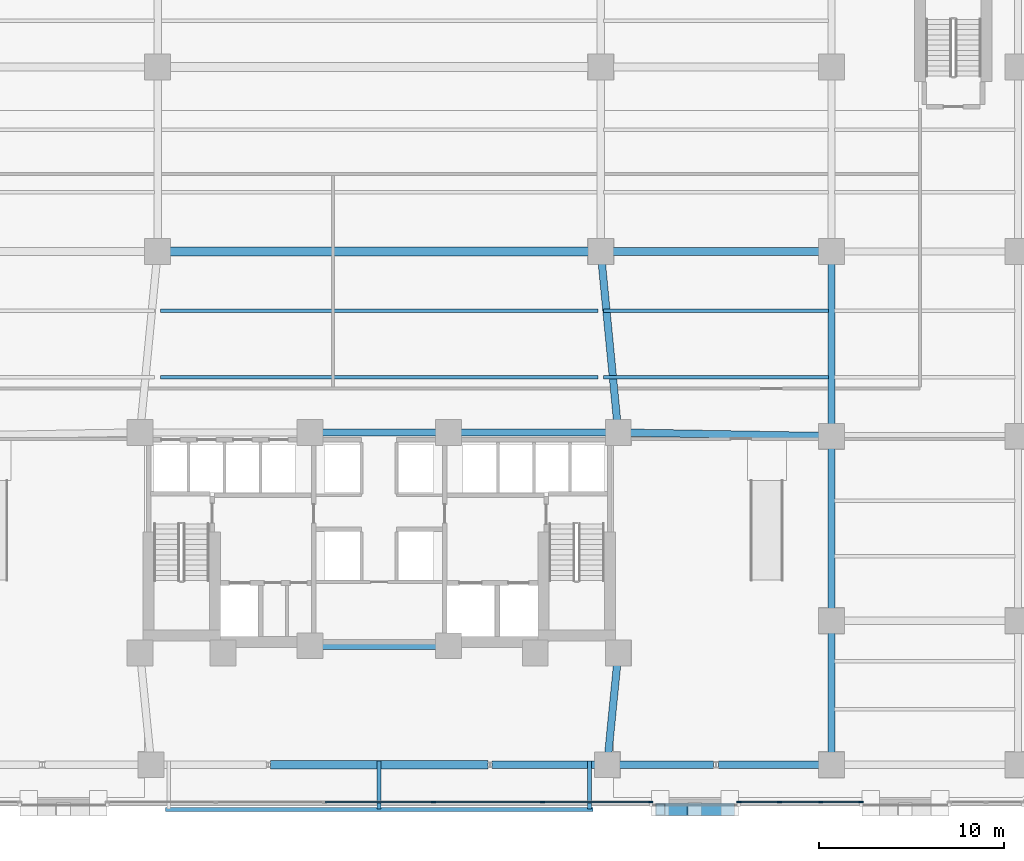
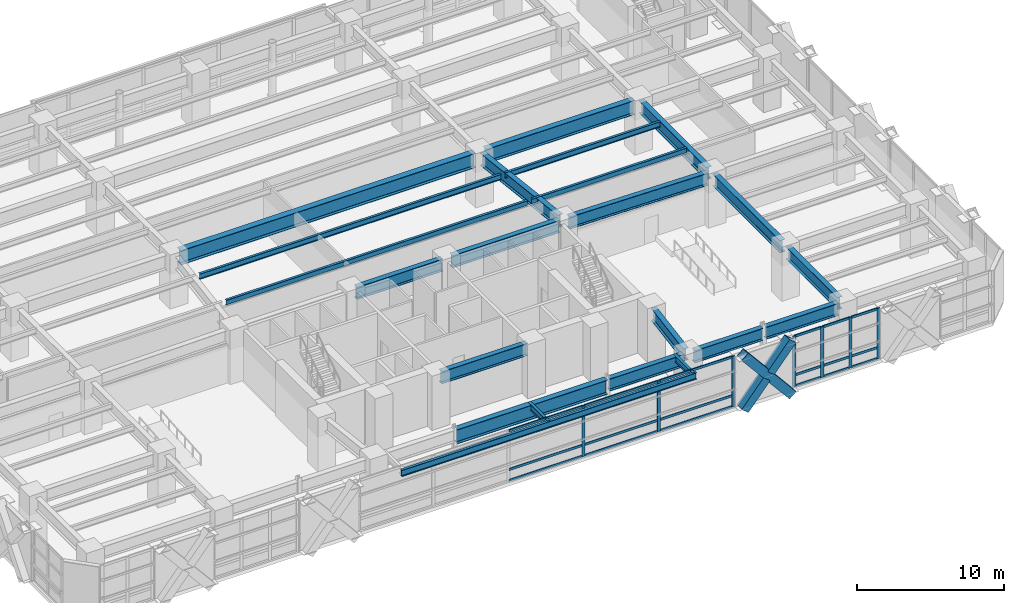
# One storey, part 8 of 30: 28 members, 22 beams, 2 elements without a shape of their own.
"""IFC4 building model written with IfcOpenShell, lengths in metres."""

from ifc_helpers import new_model, si_unit, direction, frame, origin, origin_2d, place, context, subcontext, project, spatial, rectangle, hollow_rectangle, i_section, extrude, material, material_profile, profile_set, type_object, element, aggregate, save


model = new_model("IFC4")

# Units and contexts
model_context = context("Model", 3, precision=1e-05, world=origin(), true_north=direction((0.0, 1.0)))
body_context = subcontext(model_context, "Body", "Model", "MODEL_VIEW")
ifc_project = project(units=[si_unit("LENGTHUNIT", "METRE"), si_unit("AREAUNIT", "SQUARE_METRE"), si_unit("VOLUMEUNIT", "CUBIC_METRE"), si_unit("PLANEANGLEUNIT", "RADIAN"), si_unit("MASSUNIT", "GRAM", prefix="KILO")], contexts=[model_context])

# Site, building, storey
site_placement = place(None, origin())
site = spatial("IfcSite", under=ifc_project, at=site_placement, CompositionType="ELEMENT")
building_placement = place(site_placement, origin())
building = spatial("IfcBuilding", under=site, at=building_placement, Name="Quenlor Broadcast Tower", CompositionType="ELEMENT")
storey_placement = place(building_placement, frame((0.0, 0.0, 9.5)))
storey = spatial("IfcBuildingStorey", under=building, at=storey_placement, Name="L02", CompositionType="ELEMENT", Elevation=9.5)

# Curtain wall, members
ifc_material_1 = material(Name="Architectural Terracotta and Low-E Glazing", Category="masonry")
curtain_wall_type = type_object("IfcCurtainWallType", Name="Station Concourse and Crown Terracotta Curtain Wall", PredefinedType="NOTDEFINED", material=ifc_material_1)
curtain_wall_1_placement = place(storey_placement, origin())
curtain_wall_1 = element("IfcCurtainWall", 1, at=curtain_wall_1_placement, inside=storey, type_object=curtain_wall_type, Name="L02 Curtain Wall CW6 (L02-S-FULL-G2)", PredefinedType="NOTDEFINED")
ifc_material_2 = material(Name="Aluminium 6063-T6", Category="aluminium")
ifc_material_profile_1 = material_profile(ifc_material_2, rectangle(XDim=0.08203125, YDim=0.239990234375, at=origin_2d()))
ifc_profile_set_1 = profile_set([ifc_material_profile_1], Name="Aluminium 6063-T6 MULL82x240")
member_type_1 = type_object("IfcMemberType", Name="CW6 Aluminium Mullion MULL_CW6", PredefinedType="MULLION", material=ifc_profile_set_1)
member_1_placement = place(storey_placement, frame((26.109619140625, -24.820068359375, 0.0), z_axis=(0.0, 0.0, 1.0), x_axis=(0.0, -1.0, 0.0)))
member_1 = element("IfcMember", 2, at=member_1_placement, type_object=member_type_1, Name="CW6 mullion 1", PredefinedType="MULLION", context=body_context, shape_type="SweptSolid", body=[
    extrude(rectangle(XDim=0.08203125, YDim=0.239990234375, at=origin_2d()), origin(), (0.0, 0.0, 1.0), 4.199951171875),
])
member_2_placement = place(storey_placement, frame((23.916748046875, -24.820068359375, 0.0), z_axis=(0.0, 0.0, 1.0), x_axis=(0.0, -1.0, 0.0)))
member_2 = element("IfcMember", 3, at=member_2_placement, type_object=member_type_1, Name="CW6 mullion 2", PredefinedType="MULLION", context=body_context, shape_type="SweptSolid", body=[
    extrude(rectangle(XDim=0.08203125, YDim=0.239990234375, at=origin_2d()), origin(), (0.0, 0.0, 1.0), 4.199951171875),
])
member_3_placement = place(storey_placement, frame((21.68310546875, -24.820068359375, 0.0), z_axis=(0.0, 0.0, 1.0), x_axis=(0.0, -1.0, 0.0)))
member_3 = element("IfcMember", 4, at=member_3_placement, type_object=member_type_1, Name="CW6 mullion 3", PredefinedType="MULLION", context=body_context, shape_type="SweptSolid", body=[
    extrude(rectangle(XDim=0.08203125, YDim=0.239990234375, at=origin_2d()), origin(), (0.0, 0.0, 1.0), 4.199951171875),
])
member_4_placement = place(storey_placement, frame((19.490478515625, -24.820068359375, 0.0), z_axis=(0.0, 0.0, 1.0), x_axis=(0.0, -1.0, 0.0)))
member_4 = element("IfcMember", 5, at=member_4_placement, type_object=member_type_1, Name="CW6 mullion 4", PredefinedType="MULLION", context=body_context, shape_type="SweptSolid", body=[
    extrude(rectangle(XDim=0.08203125, YDim=0.239990234375, at=origin_2d()), origin(), (0.0, 0.0, 1.0), 4.199951171875),
])

curtain_wall_2_placement = place(storey_placement, origin())
curtain_wall_2 = element("IfcCurtainWall", 6, at=curtain_wall_2_placement, inside=storey, type_object=curtain_wall_type, Name="L02 Curtain Wall CW6 (L02-S-FULL-G3)", PredefinedType="NOTDEFINED")
member_5_placement = place(storey_placement, frame((14.70947265625, -24.820068359375, 0.0), z_axis=(0.0, 0.0, 1.0), x_axis=(0.0, -1.0, 0.0)))
member_5 = element("IfcMember", 7, at=member_5_placement, type_object=member_type_1, Name="CW6 mullion 1", PredefinedType="MULLION", context=body_context, shape_type="SweptSolid", body=[
    extrude(rectangle(XDim=0.08203125, YDim=0.239990234375, at=origin_2d()), origin(), (0.0, 0.0, 1.0), 4.199951171875),
])
member_6_placement = place(storey_placement, frame((8.850341796875, -24.820068359375, 0.0), z_axis=(0.0, 0.0, 1.0), x_axis=(0.0, -1.0, 0.0)))
member_6 = element("IfcMember", 8, at=member_6_placement, type_object=member_type_1, Name="CW6 mullion 2", PredefinedType="MULLION", context=body_context, shape_type="SweptSolid", body=[
    extrude(rectangle(XDim=0.08203125, YDim=0.239990234375, at=origin_2d()), origin(), (0.0, 0.0, 1.0), 4.199951171875),
])
member_7_placement = place(storey_placement, frame((2.9501953125, -24.820068359375, 0.0), z_axis=(0.0, 0.0, 1.0), x_axis=(0.0, -1.0, 0.0)))
member_7 = element("IfcMember", 9, at=member_7_placement, type_object=member_type_1, Name="CW6 mullion 3", PredefinedType="MULLION", context=body_context, shape_type="SweptSolid", body=[
    extrude(rectangle(XDim=0.08203125, YDim=0.239990234375, at=origin_2d()), origin(), (0.0, 0.0, 1.0), 4.199951171875),
])

# Member
ifc_material_3 = material(Name="Aluminium 6063-T6", Category="aluminium")
ifc_material_profile_2 = material_profile(ifc_material_3, rectangle(XDim=0.08203125, YDim=0.195068359375, at=origin_2d()))
ifc_profile_set_2 = profile_set([ifc_material_profile_2], Name="Aluminium 6063-T6 TRAN82x195")
member_type_2 = type_object("IfcMemberType", Name="CW6 Aluminium Transom TRAN_CW6", PredefinedType="USERDEFINED", material=ifc_profile_set_2)
member_8_placement = place(storey_placement, frame((26.068603515625, -24.820068359375, 0.041015625), z_axis=(-1.0, 0.0, 0.0), x_axis=(0.0, -1.0, 0.0)))
member_8 = element("IfcMember", 10, at=member_8_placement, type_object=member_type_2, Name="CW6 transom 1.1", ObjectType="TRANSOM", PredefinedType="USERDEFINED", context=body_context, shape_type="SweptSolid", body=[
    extrude(rectangle(XDim=0.08203125, YDim=0.195068359375, at=origin_2d()), origin(), (0.0, 0.0, 1.0), 2.11083984375),
])

member_9_placement = place(storey_placement, frame((26.068603515625, -24.820068359375, 0.949951171875), z_axis=(-1.0, 0.0, 0.0), x_axis=(0.0, -1.0, 0.0)))
member_9 = element("IfcMember", 11, at=member_9_placement, type_object=member_type_2, Name="CW6 transom 1.2", ObjectType="TRANSOM", PredefinedType="USERDEFINED", context=body_context, shape_type="SweptSolid", body=[
    extrude(rectangle(XDim=0.08203125, YDim=0.195068359375, at=origin_2d()), origin(), (0.0, 0.0, 1.0), 2.11083984375),
])

member_10_placement = place(storey_placement, frame((26.068603515625, -24.820068359375, 4.158935546875), z_axis=(-1.0, 0.0, 0.0), x_axis=(0.0, -1.0, 0.0)))
member_10 = element("IfcMember", 12, at=member_10_placement, type_object=member_type_2, Name="CW6 transom 1.3", ObjectType="TRANSOM", PredefinedType="USERDEFINED", context=body_context, shape_type="SweptSolid", body=[
    extrude(rectangle(XDim=0.08203125, YDim=0.195068359375, at=origin_2d()), origin(), (0.0, 0.0, 1.0), 2.11083984375),
])

member_11_placement = place(storey_placement, frame((23.875732421875, -24.820068359375, 0.041015625), z_axis=(-1.0, 0.0, 0.0), x_axis=(0.0, -1.0, 0.0)))
member_11 = element("IfcMember", 13, at=member_11_placement, type_object=member_type_2, Name="CW6 transom 2.1", ObjectType="TRANSOM", PredefinedType="USERDEFINED", context=body_context, shape_type="SweptSolid", body=[
    extrude(rectangle(XDim=0.08203125, YDim=0.195068359375, at=origin_2d()), origin(), (0.0, 0.0, 1.0), 2.151611328125),
])

member_12_placement = place(storey_placement, frame((23.875732421875, -24.820068359375, 0.949951171875), z_axis=(-1.0, 0.0, 0.0), x_axis=(0.0, -1.0, 0.0)))
member_12 = element("IfcMember", 14, at=member_12_placement, type_object=member_type_2, Name="CW6 transom 2.2", ObjectType="TRANSOM", PredefinedType="USERDEFINED", context=body_context, shape_type="SweptSolid", body=[
    extrude(rectangle(XDim=0.08203125, YDim=0.195068359375, at=origin_2d()), origin(), (0.0, 0.0, 1.0), 2.151611328125),
])

member_13_placement = place(storey_placement, frame((23.875732421875, -24.820068359375, 4.158935546875), z_axis=(-1.0, 0.0, 0.0), x_axis=(0.0, -1.0, 0.0)))
member_13 = element("IfcMember", 15, at=member_13_placement, type_object=member_type_2, Name="CW6 transom 2.3", ObjectType="TRANSOM", PredefinedType="USERDEFINED", context=body_context, shape_type="SweptSolid", body=[
    extrude(rectangle(XDim=0.08203125, YDim=0.195068359375, at=origin_2d()), origin(), (0.0, 0.0, 1.0), 2.151611328125),
])

member_14_placement = place(storey_placement, frame((21.64208984375, -24.820068359375, 0.041015625), z_axis=(-1.0, 0.0, 0.0), x_axis=(0.0, -1.0, 0.0)))
member_14 = element("IfcMember", 16, at=member_14_placement, type_object=member_type_2, Name="CW6 transom 3.1", ObjectType="TRANSOM", PredefinedType="USERDEFINED", context=body_context, shape_type="SweptSolid", body=[
    extrude(rectangle(XDim=0.08203125, YDim=0.195068359375, at=origin_2d()), origin(), (0.0, 0.0, 1.0), 2.110595703125),
])

member_15_placement = place(storey_placement, frame((21.64208984375, -24.820068359375, 0.949951171875), z_axis=(-1.0, 0.0, 0.0), x_axis=(0.0, -1.0, 0.0)))
member_15 = element("IfcMember", 17, at=member_15_placement, type_object=member_type_2, Name="CW6 transom 3.2", ObjectType="TRANSOM", PredefinedType="USERDEFINED", context=body_context, shape_type="SweptSolid", body=[
    extrude(rectangle(XDim=0.08203125, YDim=0.195068359375, at=origin_2d()), origin(), (0.0, 0.0, 1.0), 2.110595703125),
])

member_16_placement = place(storey_placement, frame((21.64208984375, -24.820068359375, 4.158935546875), z_axis=(-1.0, 0.0, 0.0), x_axis=(0.0, -1.0, 0.0)))
member_16 = element("IfcMember", 18, at=member_16_placement, type_object=member_type_2, Name="CW6 transom 3.3", ObjectType="TRANSOM", PredefinedType="USERDEFINED", context=body_context, shape_type="SweptSolid", body=[
    extrude(rectangle(XDim=0.08203125, YDim=0.195068359375, at=origin_2d()), origin(), (0.0, 0.0, 1.0), 2.110595703125),
])

aggregate(curtain_wall_1, [member_1, member_2, member_3, member_4, member_8, member_9, member_10, member_11, member_12, member_13, member_14, member_15, member_16])

member_17_placement = place(storey_placement, frame((14.66845703125, -24.820068359375, 0.041015625), z_axis=(-1.0, 0.0, 0.0), x_axis=(0.0, -1.0, 0.0)))
member_17 = element("IfcMember", 19, at=member_17_placement, type_object=member_type_2, Name="CW6 transom 1.1", ObjectType="TRANSOM", PredefinedType="USERDEFINED", context=body_context, shape_type="SweptSolid", body=[
    extrude(rectangle(XDim=0.08203125, YDim=0.195068359375, at=origin_2d()), origin(), (0.0, 0.0, 1.0), 5.777099609375),
])

member_18_placement = place(storey_placement, frame((14.66845703125, -24.820068359375, 0.949951171875), z_axis=(-1.0, 0.0, 0.0), x_axis=(0.0, -1.0, 0.0)))
member_18 = element("IfcMember", 20, at=member_18_placement, type_object=member_type_2, Name="CW6 transom 1.2", ObjectType="TRANSOM", PredefinedType="USERDEFINED", context=body_context, shape_type="SweptSolid", body=[
    extrude(rectangle(XDim=0.08203125, YDim=0.195068359375, at=origin_2d()), origin(), (0.0, 0.0, 1.0), 5.777099609375),
])

member_19_placement = place(storey_placement, frame((14.66845703125, -24.820068359375, 4.158935546875), z_axis=(-1.0, 0.0, 0.0), x_axis=(0.0, -1.0, 0.0)))
member_19 = element("IfcMember", 21, at=member_19_placement, type_object=member_type_2, Name="CW6 transom 1.3", ObjectType="TRANSOM", PredefinedType="USERDEFINED", context=body_context, shape_type="SweptSolid", body=[
    extrude(rectangle(XDim=0.08203125, YDim=0.195068359375, at=origin_2d()), origin(), (0.0, 0.0, 1.0), 5.777099609375),
])

member_20_placement = place(storey_placement, frame((8.809326171875, -24.820068359375, 0.041015625), z_axis=(-1.0, 0.0, 0.0), x_axis=(0.0, -1.0, 0.0)))
member_20 = element("IfcMember", 22, at=member_20_placement, type_object=member_type_2, Name="CW6 transom 2.1", ObjectType="TRANSOM", PredefinedType="USERDEFINED", context=body_context, shape_type="SweptSolid", body=[
    extrude(rectangle(XDim=0.08203125, YDim=0.195068359375, at=origin_2d()), origin(), (0.0, 0.0, 1.0), 5.818115234375),
])

member_21_placement = place(storey_placement, frame((8.809326171875, -24.820068359375, 0.949951171875), z_axis=(-1.0, 0.0, 0.0), x_axis=(0.0, -1.0, 0.0)))
member_21 = element("IfcMember", 23, at=member_21_placement, type_object=member_type_2, Name="CW6 transom 2.2", ObjectType="TRANSOM", PredefinedType="USERDEFINED", context=body_context, shape_type="SweptSolid", body=[
    extrude(rectangle(XDim=0.08203125, YDim=0.195068359375, at=origin_2d()), origin(), (0.0, 0.0, 1.0), 5.818115234375),
])

member_22_placement = place(storey_placement, frame((8.809326171875, -24.820068359375, 4.158935546875), z_axis=(-1.0, 0.0, 0.0), x_axis=(0.0, -1.0, 0.0)))
member_22 = element("IfcMember", 24, at=member_22_placement, type_object=member_type_2, Name="CW6 transom 2.3", ObjectType="TRANSOM", PredefinedType="USERDEFINED", context=body_context, shape_type="SweptSolid", body=[
    extrude(rectangle(XDim=0.08203125, YDim=0.195068359375, at=origin_2d()), origin(), (0.0, 0.0, 1.0), 5.818115234375),
])

member_23_placement = place(storey_placement, frame((2.9091796875, -24.820068359375, 0.041015625), z_axis=(-1.0, 0.0, 0.0), x_axis=(0.0, -1.0, 0.0)))
member_23 = element("IfcMember", 25, at=member_23_placement, type_object=member_type_2, Name="CW6 transom 3.1", ObjectType="TRANSOM", PredefinedType="USERDEFINED", context=body_context, shape_type="SweptSolid", body=[
    extrude(rectangle(XDim=0.08203125, YDim=0.195068359375, at=origin_2d()), origin(), (0.0, 0.0, 1.0), 5.818359375),
])

member_24_placement = place(storey_placement, frame((2.9091796875, -24.820068359375, 0.949951171875), z_axis=(-1.0, 0.0, 0.0), x_axis=(0.0, -1.0, 0.0)))
member_24 = element("IfcMember", 26, at=member_24_placement, type_object=member_type_2, Name="CW6 transom 3.2", ObjectType="TRANSOM", PredefinedType="USERDEFINED", context=body_context, shape_type="SweptSolid", body=[
    extrude(rectangle(XDim=0.08203125, YDim=0.195068359375, at=origin_2d()), origin(), (0.0, 0.0, 1.0), 5.818359375),
])

member_25_placement = place(storey_placement, frame((2.9091796875, -24.820068359375, 4.158935546875), z_axis=(-1.0, 0.0, 0.0), x_axis=(0.0, -1.0, 0.0)))
member_25 = element("IfcMember", 27, at=member_25_placement, type_object=member_type_2, Name="CW6 transom 3.3", ObjectType="TRANSOM", PredefinedType="USERDEFINED", context=body_context, shape_type="SweptSolid", body=[
    extrude(rectangle(XDim=0.08203125, YDim=0.195068359375, at=origin_2d()), origin(), (0.0, 0.0, 1.0), 5.818359375),
])

aggregate(curtain_wall_2, [member_5, member_6, member_7, member_17, member_18, member_19, member_20, member_21, member_22, member_23, member_24, member_25])

# Members
ifc_material_4 = material(Name="Steel S355", Category="steel")
ifc_material_profile_3 = material_profile(ifc_material_4, hollow_rectangle(XDim=0.679931640625, YDim=0.679931640625, WallThickness=0.034912109375, at=origin_2d()))
ifc_profile_set_3 = profile_set([ifc_material_profile_3], Name="Steel S355 RHS680x680x35")
member_type_3 = type_object("IfcMemberType", Name="Perimeter Diagonal Lattice Brace Z1 Steel S355 RHS680x35", PredefinedType="BRACE", material=ifc_profile_set_3)
member_26_placement = place(storey_placement, frame((18.977294921875, -25.215087890625, -0.1201171875), z_axis=(-0.640626831312, 0.0, 0.767852370578), x_axis=(0.0, -1.0, 0.0)))
element("IfcMember", 28, at=member_26_placement, inside=storey, type_object=member_type_3, Name="L02 Podium Diamond Lattice S-P2XA", PredefinedType="BRACE", context=body_context, shape_type="SweptSolid", body=[
    extrude(hollow_rectangle(XDim=0.679931640625, YDim=0.679931640625, WallThickness=0.034912109375, at=origin_2d()), origin(), (0.0, 0.0, 1.0), 5.860595703125),
])
for number, where, z_axis, x_axis, name in (
    (29, (15.222900390625, -25.215087890625, -0.1201171875), (0.640560638344, 0.0, 0.767907591188), (0.0, 1.0, 0.0), "L02 Podium Diamond Lattice S-P2XB1"),
    (30, (17.26025390625, -25.215087890625, 2.322021484375), (0.640659157162, 0.0, 0.767825399648), (0.0, 1.0, 0.0), "L02 Podium Diamond Lattice S-P2XB2"),
):
    element("IfcMember", number, at=place(storey_placement, frame(where, z_axis=z_axis, x_axis=x_axis)), inside=storey, type_object=member_type_3, Name=name, PredefinedType="BRACE", context=body_context, shape_type="SweptSolid", body=[
        extrude(hollow_rectangle(XDim=0.679931640625, YDim=0.679931640625, WallThickness=0.034912109375, at=origin_2d()), origin(), (0.0, 0.0, 1.0), 2.68017578125),
    ])

# Beams
ifc_material_5 = material(Name="Steel S355", Category="steel")
ifc_material_profile_4 = material_profile(ifc_material_5, i_section(OverallWidth=0.208984375, OverallDepth=0.532958984375, WebThickness=0.01025390625, FlangeThickness=0.015625, FilletRadius=0.013916015625, at=origin_2d()))
ifc_profile_set_4 = profile_set([ifc_material_profile_4], Name="Steel S355 530UB92.4")
beam_type_1 = type_object("IfcBeamType", Name="Perimeter Spandrel Beam Z1 Steel S355 530UB92.4", PredefinedType="SPANDREL", material=ifc_profile_set_4)
for number, where, z_axis, x_axis, name in (
    (31, (0.0, -22.5849609375, 3.93359375), (0.0, -1.0, 0.0), (1.0, 0.0, 0.0), "L02 Concourse Portal Lattice Bridge Tie SM2"),
    (32, (11.39990234375, -22.5849609375, 3.93359375), (0.0, -1.0, 0.0), (1.0, 0.0, 0.0), "L02 Concourse Portal Lattice Bridge Tie SM3"),
):
    element("IfcBeam", number, at=place(storey_placement, frame(where, z_axis=z_axis, x_axis=x_axis)), inside=storey, type_object=beam_type_1, Name=name, PredefinedType="SPANDREL", context=body_context, shape_type="SweptSolid", body=[
        extrude(i_section(OverallWidth=0.208984375, OverallDepth=0.532958984375, WebThickness=0.01025390625, FlangeThickness=0.015625, FilletRadius=0.013916015625, at=origin_2d()), origin(), (0.0, 0.0, 1.0), 2.610107421875),
    ])
beam_1_placement = place(storey_placement, frame((-11.580078125, -25.215087890625, 3.93359375), z_axis=(1.0, 0.0, 0.0), x_axis=(0.0, 1.0, 0.0)))
element("IfcBeam", 33, at=beam_1_placement, inside=storey, type_object=beam_type_1, Name="L02 Concourse Portal Lattice Sill Girder SM", PredefinedType="SPANDREL", context=body_context, shape_type="SweptSolid", body=[
    extrude(i_section(OverallWidth=0.208984375, OverallDepth=0.532958984375, WebThickness=0.01025390625, FlangeThickness=0.015625, FilletRadius=0.013916015625, at=origin_2d()), origin(), (0.0, 0.0, 1.0), 23.16015625),
])
ifc_material_6 = material(Name="Steel S355", Category="steel")
ifc_material_profile_5 = material_profile(ifc_material_6, i_section(OverallWidth=0.39990234375, OverallDepth=1.02392578125, WebThickness=0.01611328125, FlangeThickness=0.031982421875, FilletRadius=0.01611328125, at=origin_2d()))
ifc_profile_set_5 = profile_set([ifc_material_profile_5], Name="Steel S355 1000WB322")
beam_type_2 = type_object("IfcBeamType", Name="Podium Concourse Girder Steel S355 1000WB322", PredefinedType="BEAM", material=ifc_profile_set_5)
beam_2_placement = place(storey_placement, frame((6.10791015625, -22.800048828125, 3.68798828125), z_axis=(1.0, 0.0, 0.0), x_axis=(0.0, 1.0, 0.0)))
element("IfcBeam", 34, at=beam_2_placement, inside=storey, type_object=beam_type_2, Name="L02 Podium Girder 6", PredefinedType="BEAM", context=body_context, shape_type="SweptSolid", body=[
    extrude(i_section(OverallWidth=0.39990234375, OverallDepth=1.02392578125, WebThickness=0.01611328125, FlangeThickness=0.031982421875, FilletRadius=0.01611328125, at=origin_2d()), origin(), (0.0, 0.0, 1.0), 5.822021484375),
])
beam_3_placement = place(storey_placement, frame((12.77001953125, -22.800048828125, 3.68798828125), z_axis=(1.0, 0.0, 0.0), x_axis=(0.0, 1.0, 0.0)))
element("IfcBeam", 35, at=beam_3_placement, inside=storey, type_object=beam_type_2, Name="L02 Podium Girder 7", PredefinedType="BEAM", context=body_context, shape_type="SweptSolid", body=[
    extrude(i_section(OverallWidth=0.39990234375, OverallDepth=1.02392578125, WebThickness=0.01611328125, FlangeThickness=0.031982421875, FilletRadius=0.01611328125, at=origin_2d()), origin(), (0.0, 0.0, 1.0), 5.345458984375),
])
beam_4_placement = place(storey_placement, frame((18.384521484375, -22.800048828125, 3.68798828125), z_axis=(1.0, 0.0, 0.0), x_axis=(0.0, 1.0, 0.0)))
element("IfcBeam", 36, at=beam_4_placement, inside=storey, type_object=beam_type_2, Name="L02 Podium Girder 8", PredefinedType="BEAM", context=body_context, shape_type="SweptSolid", body=[
    extrude(i_section(OverallWidth=0.39990234375, OverallDepth=1.02392578125, WebThickness=0.01611328125, FlangeThickness=0.031982421875, FilletRadius=0.01611328125, at=origin_2d()), origin(), (0.0, 0.0, 1.0), 5.695556640625),
])
beam_5_placement = place(storey_placement, frame((24.5, -22.3798828125, 3.68798828125), z_axis=(0.0, 1.0, 0.0), x_axis=(-1.0, 0.0, 0.0)))
element("IfcBeam", 37, at=beam_5_placement, inside=storey, type_object=beam_type_2, Name="L02 Podium Girder 44", PredefinedType="BEAM", context=body_context, shape_type="SweptSolid", body=[
    extrude(i_section(OverallWidth=0.39990234375, OverallDepth=1.02392578125, WebThickness=0.01611328125, FlangeThickness=0.031982421875, FilletRadius=0.01611328125, at=origin_2d()), origin(), (0.0, 0.0, 1.0), 6.9599609375),
])
for number, where, z_axis, x_axis, name in (
    (38, (24.5, -14.580078125, 3.68798828125), (0.0, 1.0, 0.0), (-1.0, 0.0, 0.0), "L02 Podium Girder 45"),
    (39, (24.5, -4.580078125, 3.68798828125), (0.0, 1.0, 0.0), (-1.0, 0.0, 0.0), "L02 Podium Girder 46"),
):
    element("IfcBeam", number, at=place(storey_placement, frame(where, z_axis=z_axis, x_axis=x_axis)), inside=storey, type_object=beam_type_2, Name=name, PredefinedType="BEAM", context=body_context, shape_type="SweptSolid", body=[
        extrude(i_section(OverallWidth=0.39990234375, OverallDepth=1.02392578125, WebThickness=0.01611328125, FlangeThickness=0.031982421875, FilletRadius=0.01611328125, at=origin_2d()), origin(), (0.0, 0.0, 1.0), 9.16015625),
    ])
beam_6_placement = place(storey_placement, frame((12.913330078125, -4.421875, 3.68798828125), z_axis=(-0.096489068192, 0.995334044288, 0.0), x_axis=(-0.995334044288, -0.096489068192, 0.0)))
element("IfcBeam", 40, at=beam_6_placement, inside=storey, type_object=beam_type_2, Name="L02 Podium Concourse Girder 2", PredefinedType="BEAM", context=body_context, shape_type="SweptSolid", body=[
    extrude(i_section(OverallWidth=0.39990234375, OverallDepth=1.02392578125, WebThickness=0.01611328125, FlangeThickness=0.031982421875, FilletRadius=0.01611328125, at=origin_2d()), origin(), (0.0, 0.0, 1.0), 9.086181640625),
])
beam_7_placement = place(storey_placement, frame((12.91259765625, -17.128173828125, 3.68798828125), z_axis=(-0.098717586069, -0.995115489881, 0.0), x_axis=(0.995115489881, -0.098717586069, 0.0)))
element("IfcBeam", 41, at=beam_7_placement, inside=storey, type_object=beam_type_2, Name="L02 Podium Concourse Girder 4", PredefinedType="BEAM", context=body_context, shape_type="SweptSolid", body=[
    extrude(i_section(OverallWidth=0.39990234375, OverallDepth=1.02392578125, WebThickness=0.01611328125, FlangeThickness=0.031982421875, FilletRadius=0.01611328125, at=origin_2d()), origin(), (0.0, 0.0, 1.0), 5.319580078125),
])
beam_8_placement = place(storey_placement, frame((13.329833984375, -4.806640625, 3.68798828125), z_axis=(0.999850235211, -0.017306274859, 0.0), x_axis=(0.017306274859, 0.999850235211, 0.0)))
element("IfcBeam", 42, at=beam_8_placement, inside=storey, type_object=beam_type_2, Name="L02 Podium Concourse Girder 6", PredefinedType="BEAM", context=body_context, shape_type="SweptSolid", body=[
    extrude(i_section(OverallWidth=0.39990234375, OverallDepth=1.02392578125, WebThickness=0.01611328125, FlangeThickness=0.031982421875, FilletRadius=0.01611328125, at=origin_2d()), origin(), (0.0, 0.0, 1.0), 10.7919921875),
])
for number, where, z_axis, x_axis, name in (
    (43, (-3.3701171875, -4.800048828125, 3.68798828125), (1.0, 0.0, 0.0), (0.0, 1.0, 0.0), "L02 Podium Concourse Girder 7"),
    (44, (-3.3701171875, -16.35009765625, 3.68798828125), (1.0, 0.0, 0.0), (0.0, 1.0, 0.0), "L02 Podium Concourse Girder 8"),
):
    element("IfcBeam", number, at=place(storey_placement, frame(where, z_axis=z_axis, x_axis=x_axis)), inside=storey, type_object=beam_type_2, Name=name, PredefinedType="BEAM", context=body_context, shape_type="SweptSolid", body=[
        extrude(i_section(OverallWidth=0.39990234375, OverallDepth=1.02392578125, WebThickness=0.01611328125, FlangeThickness=0.031982421875, FilletRadius=0.01611328125, at=origin_2d()), origin(), (0.0, 0.0, 1.0), 6.740234375),
    ])
beam_9_placement = place(storey_placement, frame((4.1298828125, -4.800048828125, 3.68798828125), z_axis=(1.0, 0.0, 0.0), x_axis=(0.0, 1.0, 0.0)))
element("IfcBeam", 45, at=beam_9_placement, inside=storey, type_object=beam_type_2, Name="L02 Podium Concourse Girder 10", PredefinedType="BEAM", context=body_context, shape_type="SweptSolid", body=[
    extrude(i_section(OverallWidth=0.39990234375, OverallDepth=1.02392578125, WebThickness=0.01611328125, FlangeThickness=0.031982421875, FilletRadius=0.01611328125, at=origin_2d()), origin(), (0.0, 0.0, 1.0), 8.440185546875),
])
ifc_material_7 = material(Name="Steel S355", Category="steel")
ifc_material_profile_6 = material_profile(ifc_material_7, i_section(OverallWidth=0.18994140625, OverallDepth=0.453857421875, WebThickness=0.008544921875, FlangeThickness=0.0126953125, FilletRadius=0.011474609375, at=origin_2d()))
ifc_profile_set_6 = profile_set([ifc_material_profile_6], Name="Steel S355 460UB67.1")
beam_type_3 = type_object("IfcBeamType", Name="Podium Floor Joist Steel S355 460UB67.1", PredefinedType="JOIST", material=ifc_profile_set_6)
beam_10_placement = place(storey_placement, frame((-11.840087890625, -1.800048828125, 3.97314453125), z_axis=(1.0, 0.0, 0.0), x_axis=(0.0, 1.0, 0.0)))
element("IfcBeam", 46, at=beam_10_placement, inside=storey, type_object=beam_type_3, Name="L02 Podium Floor Joist 34", PredefinedType="JOIST", context=body_context, shape_type="SweptSolid", body=[
    extrude(i_section(OverallWidth=0.18994140625, OverallDepth=0.453857421875, WebThickness=0.008544921875, FlangeThickness=0.0126953125, FilletRadius=0.011474609375, at=origin_2d()), origin(), (0.0, 0.0, 1.0), 23.68017578125),
])
beam_11_placement = place(storey_placement, frame((12.159912109375, -1.800048828125, 3.97314453125), z_axis=(1.0, 0.0, 0.0), x_axis=(0.0, 1.0, 0.0)))
element("IfcBeam", 47, at=beam_11_placement, inside=storey, type_object=beam_type_3, Name="L02 Podium Floor Joist 35", PredefinedType="JOIST", context=body_context, shape_type="SweptSolid", body=[
    extrude(i_section(OverallWidth=0.18994140625, OverallDepth=0.453857421875, WebThickness=0.008544921875, FlangeThickness=0.0126953125, FilletRadius=0.011474609375, at=origin_2d()), origin(), (0.0, 0.0, 1.0), 12.18017578125),
])
beam_12_placement = place(storey_placement, frame((-11.840087890625, 1.800048828125, 3.97314453125), z_axis=(1.0, 0.0, 0.0), x_axis=(0.0, 1.0, 0.0)))
element("IfcBeam", 48, at=beam_12_placement, inside=storey, type_object=beam_type_3, Name="L02 Podium Floor Joist 37", PredefinedType="JOIST", context=body_context, shape_type="SweptSolid", body=[
    extrude(i_section(OverallWidth=0.18994140625, OverallDepth=0.453857421875, WebThickness=0.008544921875, FlangeThickness=0.0126953125, FilletRadius=0.011474609375, at=origin_2d()), origin(), (0.0, 0.0, 1.0), 23.68017578125),
])
beam_13_placement = place(storey_placement, frame((12.159912109375, 1.800048828125, 3.97314453125), z_axis=(1.0, 0.0, 0.0), x_axis=(0.0, 1.0, 0.0)))
element("IfcBeam", 49, at=beam_13_placement, inside=storey, type_object=beam_type_3, Name="L02 Podium Floor Joist 38", PredefinedType="JOIST", context=body_context, shape_type="SweptSolid", body=[
    extrude(i_section(OverallWidth=0.18994140625, OverallDepth=0.453857421875, WebThickness=0.008544921875, FlangeThickness=0.0126953125, FilletRadius=0.011474609375, at=origin_2d()), origin(), (0.0, 0.0, 1.0), 12.18017578125),
])
ifc_material_8 = material(Name="Steel S355", Category="steel")
ifc_material_profile_7 = material_profile(ifc_material_8, i_section(OverallWidth=0.5, OverallDepth=1.199951171875, WebThickness=0.02001953125, FlangeThickness=0.035888671875, FilletRadius=0.01611328125, at=origin_2d()))
ifc_profile_set_7 = profile_set([ifc_material_profile_7], Name="Steel S355 1200WB455")
beam_type_4 = type_object("IfcBeamType", Name="Podium Long Span Studio Girder Steel S355 1200WB455", PredefinedType="BEAM", material=ifc_profile_set_7)
beam_14_placement = place(storey_placement, frame((-11.580078125, 5.0, 3.60009765625), z_axis=(1.0, 0.0, 0.0), x_axis=(0.0, 1.0, 0.0)))
element("IfcBeam", 50, at=beam_14_placement, inside=storey, type_object=beam_type_4, Name="L02 Podium Girder 16", PredefinedType="BEAM", context=body_context, shape_type="SweptSolid", body=[
    extrude(i_section(OverallWidth=0.5, OverallDepth=1.199951171875, WebThickness=0.02001953125, FlangeThickness=0.035888671875, FilletRadius=0.01611328125, at=origin_2d()), origin(), (0.0, 0.0, 1.0), 23.16015625),
])
ifc_material_9 = material(Name="Steel S355", Category="steel")
ifc_material_profile_8 = material_profile(ifc_material_9, i_section(OverallWidth=0.449951171875, OverallDepth=1.18798828125, WebThickness=0.01806640625, FlangeThickness=0.031982421875, FilletRadius=0.01611328125, at=origin_2d()))
ifc_profile_set_8 = profile_set([ifc_material_profile_8], Name="Steel S355 1200WB392")
beam_type_5 = type_object("IfcBeamType", Name="Podium Secondary Studio Girder Steel S355 1200WB392", PredefinedType="BEAM", material=ifc_profile_set_8)
beam_15_placement = place(storey_placement, frame((-5.89208984375, -22.800048828125, 3.60595703125), z_axis=(1.0, 0.0, 0.0), x_axis=(0.0, 1.0, 0.0)))
element("IfcBeam", 51, at=beam_15_placement, inside=storey, type_object=beam_type_5, Name="L02 Podium Girder 5", PredefinedType="BEAM", context=body_context, shape_type="SweptSolid", body=[
    extrude(i_section(OverallWidth=0.449951171875, OverallDepth=1.18798828125, WebThickness=0.01806640625, FlangeThickness=0.031982421875, FilletRadius=0.01611328125, at=origin_2d()), origin(), (0.0, 0.0, 1.0), 11.7841796875),
])
beam_16_placement = place(storey_placement, frame((12.419921875, 5.0, 3.60595703125), z_axis=(1.0, 0.0, 0.0), x_axis=(0.0, 1.0, 0.0)))
element("IfcBeam", 52, at=beam_16_placement, inside=storey, type_object=beam_type_5, Name="L02 Podium Girder 17", PredefinedType="BEAM", context=body_context, shape_type="SweptSolid", body=[
    extrude(i_section(OverallWidth=0.449951171875, OverallDepth=1.18798828125, WebThickness=0.01806640625, FlangeThickness=0.031982421875, FilletRadius=0.01611328125, at=origin_2d()), origin(), (0.0, 0.0, 1.0), 11.66015625),
])

save(model, "model.ifc")
